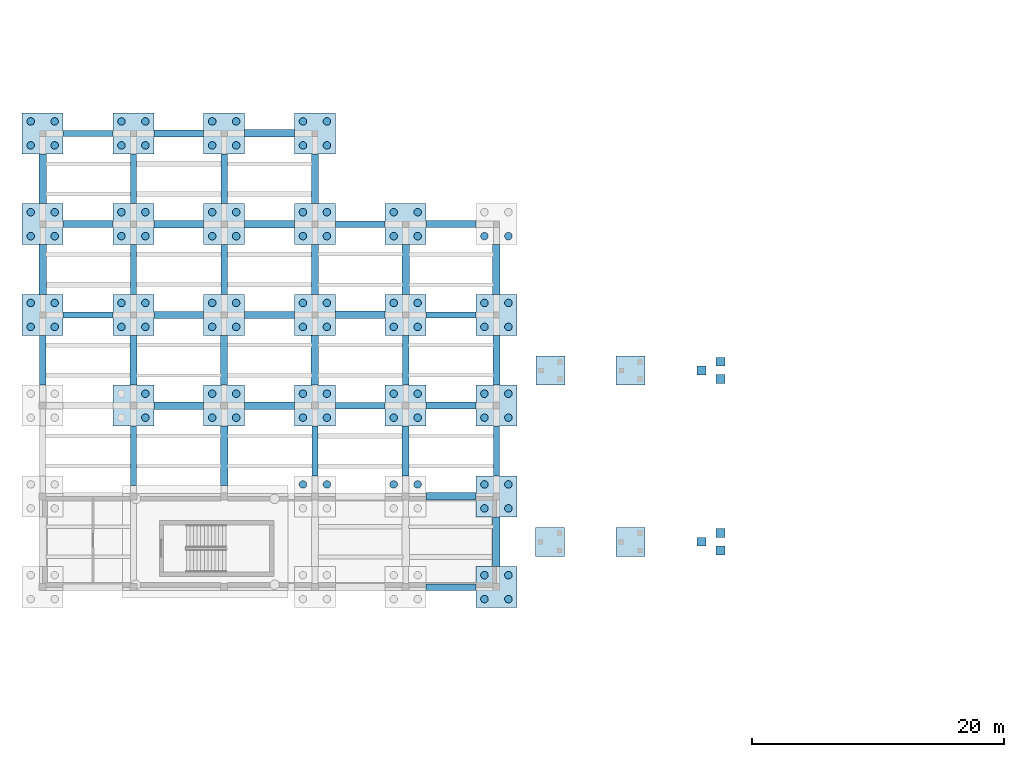
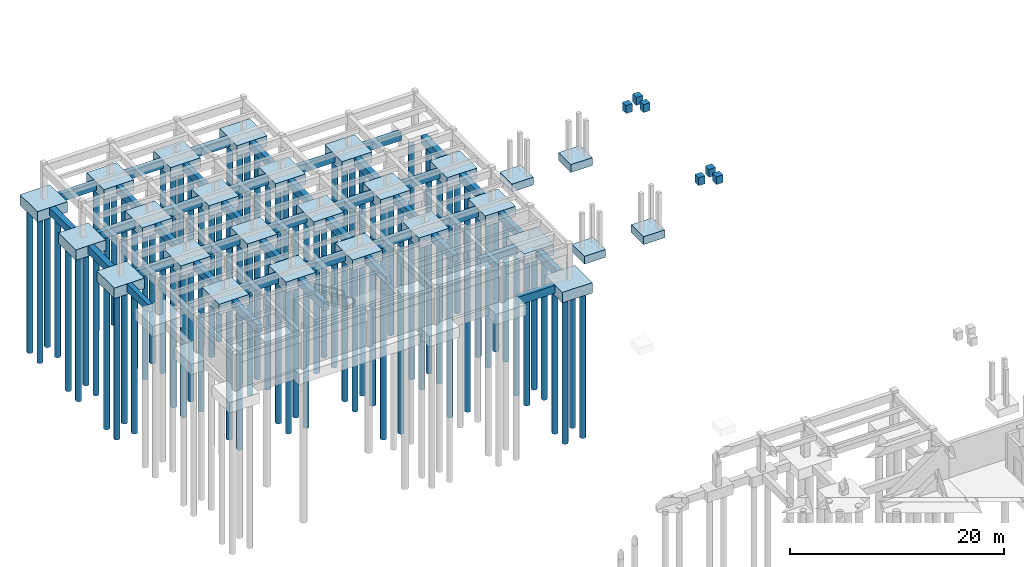
# One storey, part 4 of 31: 92 piles, 73 footings.
"""IFC4 building model written with IfcOpenShell, lengths in metres."""

from ifc_helpers import new_model, si_unit, direction, frame, origin, origin_2d, place, context, subcontext, project, spatial, rectangle, circle, extrude, material, material_profile, profile_set, type_object, element, save


model = new_model("IFC4")

# Units and contexts
model_context = context("Model", 3, precision=1e-05, world=origin(), true_north=direction((0.0, 1.0)))
body_context = subcontext(model_context, "Body", "Model", "MODEL_VIEW")
ifc_project = project(units=[si_unit("LENGTHUNIT", "METRE"), si_unit("AREAUNIT", "SQUARE_METRE"), si_unit("VOLUMEUNIT", "CUBIC_METRE"), si_unit("PLANEANGLEUNIT", "RADIAN"), si_unit("MASSUNIT", "GRAM", prefix="KILO")], contexts=[model_context])

# Site, building, storey
site_placement = place(None, origin())
site = spatial("IfcSite", under=ifc_project, at=site_placement, CompositionType="ELEMENT")
building_placement = place(site_placement, origin())
building = spatial("IfcBuilding", under=site, at=building_placement, Name="Brisavento Harbour Community Centre", CompositionType="ELEMENT")
storey_placement = place(building_placement, frame((0.0, 0.0, -4.199951171875)))
storey = spatial("IfcBuildingStorey", under=building, at=storey_placement, Name="B1", CompositionType="ELEMENT", Elevation=-4.199951171875)

# Footings
ifc_material = material(Name="Concrete C35/45", Category="concrete")
footing_type_1 = type_object("IfcFootingType", Name="FTG-GB-01", PredefinedType="FOOTING_BEAM", material=ifc_material)
footing_1_placement = place(storey_placement, frame((0.0, 90.0, -0.89990234375), z_axis=(0.0, 0.0, 1.0), x_axis=(1.0, 0.0, 0.0)))
element("IfcFooting", 1, at=footing_1_placement, inside=storey, type_object=footing_type_1, Name="Ground tie beam GB-147", PredefinedType="FOOTING_BEAM", context=body_context, shape_type="SweptSolid", body=[
    extrude(rectangle(XDim=0.5, YDim=3.949951171875, at=origin_2d()), origin(), (0.0, 0.0, 1.0), 0.89990234375),
])
footing_2_placement = place(storey_placement, frame((3.60009765625, 93.60009765625, -0.89990234375), z_axis=(0.0, 0.0, 1.0), x_axis=(1.0, 0.0, 0.0)))
element("IfcFooting", 2, at=footing_2_placement, inside=storey, type_object=footing_type_1, Name="Ground tie beam GB-150", PredefinedType="FOOTING_BEAM", context=body_context, shape_type="SweptSolid", body=[
    extrude(rectangle(XDim=3.949951171875, YDim=0.5, at=origin_2d()), origin(), (0.0, 0.0, 1.0), 0.89990234375),
])
footing_3_placement = place(storey_placement, frame((7.199951171875, 82.41259765625, -0.89990234375), z_axis=(0.0, 0.0, 1.0), x_axis=(1.0, 0.0, 0.0)))
element("IfcFooting", 3, at=footing_3_placement, inside=storey, type_object=footing_type_1, Name="Ground tie beam GB-153", PredefinedType="FOOTING_BEAM", context=body_context, shape_type="SweptSolid", body=[
    extrude(rectangle(XDim=0.5, YDim=4.72509765625, at=origin_2d()), origin(), (0.0, 0.0, 1.0), 0.89990234375),
])
for number, where, z_axis, x_axis, name in (
    (4, (7.199951171875, 97.199951171875, -0.89990234375), (0.0, 0.0, 1.0), (1.0, 0.0, 0.0), "Ground tie beam GB-156"),
    (5, (7.199951171875, 104.39990234375, -0.89990234375), (0.0, 0.0, 1.0), (1.0, 0.0, 0.0), "Ground tie beam GB-159"),
    (6, (14.39990234375, 97.199951171875, -0.89990234375), (0.0, 0.0, 1.0), (1.0, 0.0, 0.0), "Ground tie beam GB-165"),
    (7, (14.39990234375, 104.39990234375, -0.89990234375), (0.0, 0.0, 1.0), (1.0, 0.0, 0.0), "Ground tie beam GB-168"),
    (8, (21.60009765625, 82.800048828125, -0.89990234375), (0.0, 0.0, 1.0), (1.0, 0.0, 0.0), "Ground tie beam GB-171"),
):
    element("IfcFooting", number, at=place(storey_placement, frame(where, z_axis=z_axis, x_axis=x_axis)), inside=storey, type_object=footing_type_1, Name=name, PredefinedType="FOOTING_BEAM", context=body_context, shape_type="SweptSolid", body=[
        extrude(rectangle(XDim=0.5, YDim=3.949951171875, at=origin_2d()), origin(), (0.0, 0.0, 1.0), 0.89990234375),
    ])
for number, where, z_axis, x_axis, name in (
    (9, (25.199951171875, 86.39990234375, -0.89990234375), (0.0, 0.0, 1.0), (1.0, 0.0, 0.0), "Ground tie beam GB-174"),
    (10, (25.199951171875, 100.800048828125, -0.89990234375), (0.0, 0.0, 1.0), (1.0, 0.0, 0.0), "Ground tie beam GB-177"),
    (11, (32.39990234375, 72.0, -0.89990234375), (0.0, 0.0, 1.0), (1.0, 0.0, 0.0), "Ground tie beam GB-180"),
):
    element("IfcFooting", number, at=place(storey_placement, frame(where, z_axis=z_axis, x_axis=x_axis)), inside=storey, type_object=footing_type_1, Name=name, PredefinedType="FOOTING_BEAM", context=body_context, shape_type="SweptSolid", body=[
        extrude(rectangle(XDim=3.949951171875, YDim=0.5, at=origin_2d()), origin(), (0.0, 0.0, 1.0), 0.89990234375),
    ])
footing_4_placement = place(storey_placement, frame((28.800048828125, 90.0, -0.89990234375), z_axis=(0.0, 0.0, 1.0), x_axis=(1.0, 0.0, 0.0)))
element("IfcFooting", 12, at=footing_4_placement, inside=storey, type_object=footing_type_1, Name="Ground tie beam GB-183", PredefinedType="FOOTING_BEAM", context=body_context, shape_type="SweptSolid", body=[
    extrude(rectangle(XDim=0.5, YDim=3.949951171875, at=origin_2d()), origin(), (0.0, 0.0, 1.0), 0.89990234375),
])
footing_5_placement = place(storey_placement, frame((32.39990234375, 93.60009765625, -0.89990234375), z_axis=(0.0, 0.0, 1.0), x_axis=(1.0, 0.0, 0.0)))
element("IfcFooting", 13, at=footing_5_placement, inside=storey, type_object=footing_type_1, Name="Ground tie beam GB-186", PredefinedType="FOOTING_BEAM", context=body_context, shape_type="SweptSolid", body=[
    extrude(rectangle(XDim=3.949951171875, YDim=0.5, at=origin_2d()), origin(), (0.0, 0.0, 1.0), 0.89990234375),
])
footing_6_placement = place(storey_placement, frame((36.0, 82.800048828125, -0.89990234375), z_axis=(0.0, 0.0, 1.0), x_axis=(1.0, 0.0, 0.0)))
element("IfcFooting", 14, at=footing_6_placement, inside=storey, type_object=footing_type_1, Name="Ground tie beam GB-189", PredefinedType="FOOTING_BEAM", context=body_context, shape_type="SweptSolid", body=[
    extrude(rectangle(XDim=0.5, YDim=3.949951171875, at=origin_2d()), origin(), (0.0, 0.0, 1.0), 0.89990234375),
])
footing_7_placement = place(storey_placement, frame((3.60009765625, 108.0, -0.89990234375), z_axis=(0.0, 0.0, 1.0), x_axis=(1.0, 0.0, 0.0)))
element("IfcFooting", 15, at=footing_7_placement, inside=storey, type_object=footing_type_1, Name="Ground tie beam GB-192", PredefinedType="FOOTING_BEAM", context=body_context, shape_type="SweptSolid", body=[
    extrude(rectangle(XDim=3.949951171875, YDim=0.5, at=origin_2d()), origin(), (0.0, 0.0, 1.0), 0.89990234375),
])
footing_type_2 = type_object("IfcFootingType", Name="FTG-GB-02", PredefinedType="FOOTING_BEAM", material=ifc_material)
footing_8_placement = place(storey_placement, frame((3.60009765625, 100.800048828125, -0.89990234375), z_axis=(0.0, 0.0, 1.0), x_axis=(1.0, 0.0, 0.0)))
element("IfcFooting", 16, at=footing_8_placement, inside=storey, type_object=footing_type_2, Name="Ground tie beam GB-151", PredefinedType="FOOTING_BEAM", context=body_context, shape_type="SweptSolid", body=[
    extrude(rectangle(XDim=3.949951171875, YDim=0.550048828125, at=origin_2d()), origin(), (0.0, 0.0, 1.0), 0.89990234375),
])
footing_9_placement = place(storey_placement, frame((7.199951171875, 90.0, -0.89990234375), z_axis=(0.0, 0.0, 1.0), x_axis=(1.0, 0.0, 0.0)))
element("IfcFooting", 17, at=footing_9_placement, inside=storey, type_object=footing_type_2, Name="Ground tie beam GB-154", PredefinedType="FOOTING_BEAM", context=body_context, shape_type="SweptSolid", body=[
    extrude(rectangle(XDim=0.550048828125, YDim=3.949951171875, at=origin_2d()), origin(), (0.0, 0.0, 1.0), 0.89990234375),
])
footing_10_placement = place(storey_placement, frame((10.800048828125, 93.60009765625, -0.89990234375), z_axis=(0.0, 0.0, 1.0), x_axis=(1.0, 0.0, 0.0)))
element("IfcFooting", 18, at=footing_10_placement, inside=storey, type_object=footing_type_2, Name="Ground tie beam GB-157", PredefinedType="FOOTING_BEAM", context=body_context, shape_type="SweptSolid", body=[
    extrude(rectangle(XDim=3.949951171875, YDim=0.550048828125, at=origin_2d()), origin(), (0.0, 0.0, 1.0), 0.89990234375),
])
footing_11_placement = place(storey_placement, frame((14.39990234375, 90.0, -0.89990234375), z_axis=(0.0, 0.0, 1.0), x_axis=(1.0, 0.0, 0.0)))
element("IfcFooting", 19, at=footing_11_placement, inside=storey, type_object=footing_type_2, Name="Ground tie beam GB-163", PredefinedType="FOOTING_BEAM", context=body_context, shape_type="SweptSolid", body=[
    extrude(rectangle(XDim=0.550048828125, YDim=3.949951171875, at=origin_2d()), origin(), (0.0, 0.0, 1.0), 0.89990234375),
])
footing_12_placement = place(storey_placement, frame((18.0, 93.60009765625, -0.89990234375), z_axis=(0.0, 0.0, 1.0), x_axis=(1.0, 0.0, 0.0)))
element("IfcFooting", 20, at=footing_12_placement, inside=storey, type_object=footing_type_2, Name="Ground tie beam GB-166", PredefinedType="FOOTING_BEAM", context=body_context, shape_type="SweptSolid", body=[
    extrude(rectangle(XDim=3.949951171875, YDim=0.550048828125, at=origin_2d()), origin(), (0.0, 0.0, 1.0), 0.89990234375),
])
for number, where, z_axis, x_axis, name in (
    (21, (21.60009765625, 97.199951171875, -0.89990234375), (0.0, 0.0, 1.0), (1.0, 0.0, 0.0), "Ground tie beam GB-175"),
    (22, (21.60009765625, 104.39990234375, -0.89990234375), (0.0, 0.0, 1.0), (1.0, 0.0, 0.0), "Ground tie beam GB-178"),
    (23, (28.800048828125, 82.800048828125, -0.89990234375), (0.0, 0.0, 1.0), (1.0, 0.0, 0.0), "Ground tie beam GB-181"),
):
    element("IfcFooting", number, at=place(storey_placement, frame(where, z_axis=z_axis, x_axis=x_axis)), inside=storey, type_object=footing_type_2, Name=name, PredefinedType="FOOTING_BEAM", context=body_context, shape_type="SweptSolid", body=[
        extrude(rectangle(XDim=0.550048828125, YDim=3.949951171875, at=origin_2d()), origin(), (0.0, 0.0, 1.0), 0.89990234375),
    ])
for number, where, z_axis, x_axis, name in (
    (24, (32.39990234375, 86.39990234375, -0.89990234375), (0.0, 0.0, 1.0), (1.0, 0.0, 0.0), "Ground tie beam GB-184"),
    (25, (32.39990234375, 100.800048828125, -0.89990234375), (0.0, 0.0, 1.0), (1.0, 0.0, 0.0), "Ground tie beam GB-187"),
):
    element("IfcFooting", number, at=place(storey_placement, frame(where, z_axis=z_axis, x_axis=x_axis)), inside=storey, type_object=footing_type_2, Name=name, PredefinedType="FOOTING_BEAM", context=body_context, shape_type="SweptSolid", body=[
        extrude(rectangle(XDim=3.949951171875, YDim=0.550048828125, at=origin_2d()), origin(), (0.0, 0.0, 1.0), 0.89990234375),
    ])
footing_13_placement = place(storey_placement, frame((36.0, 90.0, -0.89990234375), z_axis=(0.0, 0.0, 1.0), x_axis=(1.0, 0.0, 0.0)))
element("IfcFooting", 26, at=footing_13_placement, inside=storey, type_object=footing_type_2, Name="Ground tie beam GB-190", PredefinedType="FOOTING_BEAM", context=body_context, shape_type="SweptSolid", body=[
    extrude(rectangle(XDim=0.550048828125, YDim=3.949951171875, at=origin_2d()), origin(), (0.0, 0.0, 1.0), 0.89990234375),
])
footing_14_placement = place(storey_placement, frame((10.800048828125, 108.0, -0.89990234375), z_axis=(0.0, 0.0, 1.0), x_axis=(1.0, 0.0, 0.0)))
element("IfcFooting", 27, at=footing_14_placement, inside=storey, type_object=footing_type_2, Name="Ground tie beam GB-193", PredefinedType="FOOTING_BEAM", context=body_context, shape_type="SweptSolid", body=[
    extrude(rectangle(XDim=3.949951171875, YDim=0.550048828125, at=origin_2d()), origin(), (0.0, 0.0, 1.0), 0.89990234375),
])
footing_type_3 = type_object("IfcFootingType", Name="FTG-GB-03", PredefinedType="FOOTING_BEAM", material=ifc_material)
for number, where, z_axis, x_axis, name in (
    (28, (0.0, 97.199951171875, -0.89990234375), (0.0, 0.0, 1.0), (1.0, 0.0, 0.0), "Ground tie beam GB-149"),
    (29, (0.0, 104.39990234375, -0.89990234375), (0.0, 0.0, 1.0), (1.0, 0.0, 0.0), "Ground tie beam GB-152"),
):
    element("IfcFooting", number, at=place(storey_placement, frame(where, z_axis=z_axis, x_axis=x_axis)), inside=storey, type_object=footing_type_3, Name=name, PredefinedType="FOOTING_BEAM", context=body_context, shape_type="SweptSolid", body=[
        extrude(rectangle(XDim=0.60009765625, YDim=3.949951171875, at=origin_2d()), origin(), (0.0, 0.0, 1.0), 0.89990234375),
    ])
for number, where, z_axis, x_axis, name in (
    (30, (10.800048828125, 86.39990234375, -0.89990234375), (0.0, 0.0, 1.0), (1.0, 0.0, 0.0), "Ground tie beam GB-155"),
    (31, (10.800048828125, 100.800048828125, -0.89990234375), (0.0, 0.0, 1.0), (1.0, 0.0, 0.0), "Ground tie beam GB-158"),
):
    element("IfcFooting", number, at=place(storey_placement, frame(where, z_axis=z_axis, x_axis=x_axis)), inside=storey, type_object=footing_type_3, Name=name, PredefinedType="FOOTING_BEAM", context=body_context, shape_type="SweptSolid", body=[
        extrude(rectangle(XDim=3.949951171875, YDim=0.60009765625, at=origin_2d()), origin(), (0.0, 0.0, 1.0), 0.89990234375),
    ])
footing_15_placement = place(storey_placement, frame((14.39990234375, 82.41259765625, -0.89990234375), z_axis=(0.0, 0.0, 1.0), x_axis=(1.0, 0.0, 0.0)))
element("IfcFooting", 32, at=footing_15_placement, inside=storey, type_object=footing_type_3, Name="Ground tie beam GB-161", PredefinedType="FOOTING_BEAM", context=body_context, shape_type="SweptSolid", body=[
    extrude(rectangle(XDim=0.60009765625, YDim=4.72509765625, at=origin_2d()), origin(), (0.0, 0.0, 1.0), 0.89990234375),
])
for number, where, z_axis, x_axis, name in (
    (33, (18.0, 86.39990234375, -0.89990234375), (0.0, 0.0, 1.0), (1.0, 0.0, 0.0), "Ground tie beam GB-164"),
    (34, (18.0, 100.800048828125, -0.89990234375), (0.0, 0.0, 1.0), (1.0, 0.0, 0.0), "Ground tie beam GB-167"),
):
    element("IfcFooting", number, at=place(storey_placement, frame(where, z_axis=z_axis, x_axis=x_axis)), inside=storey, type_object=footing_type_3, Name=name, PredefinedType="FOOTING_BEAM", context=body_context, shape_type="SweptSolid", body=[
        extrude(rectangle(XDim=3.949951171875, YDim=0.60009765625, at=origin_2d()), origin(), (0.0, 0.0, 1.0), 0.89990234375),
    ])
footing_16_placement = place(storey_placement, frame((21.60009765625, 90.0, -0.89990234375), z_axis=(0.0, 0.0, 1.0), x_axis=(1.0, 0.0, 0.0)))
element("IfcFooting", 35, at=footing_16_placement, inside=storey, type_object=footing_type_3, Name="Ground tie beam GB-173", PredefinedType="FOOTING_BEAM", context=body_context, shape_type="SweptSolid", body=[
    extrude(rectangle(XDim=0.60009765625, YDim=3.949951171875, at=origin_2d()), origin(), (0.0, 0.0, 1.0), 0.89990234375),
])
for number, where, z_axis, x_axis, name in (
    (36, (25.199951171875, 93.60009765625, -0.89990234375), (0.0, 0.0, 1.0), (1.0, 0.0, 0.0), "Ground tie beam GB-176"),
    (37, (32.39990234375, 79.199951171875, -0.89990234375), (0.0, 0.0, 1.0), (1.0, 0.0, 0.0), "Ground tie beam GB-182"),
):
    element("IfcFooting", number, at=place(storey_placement, frame(where, z_axis=z_axis, x_axis=x_axis)), inside=storey, type_object=footing_type_3, Name=name, PredefinedType="FOOTING_BEAM", context=body_context, shape_type="SweptSolid", body=[
        extrude(rectangle(XDim=3.949951171875, YDim=0.60009765625, at=origin_2d()), origin(), (0.0, 0.0, 1.0), 0.89990234375),
    ])
for number, where, z_axis, x_axis, name in (
    (38, (28.800048828125, 97.199951171875, -0.89990234375), (0.0, 0.0, 1.0), (1.0, 0.0, 0.0), "Ground tie beam GB-185"),
    (39, (36.0, 75.60009765625, -0.89990234375), (0.0, 0.0, 1.0), (1.0, 0.0, 0.0), "Ground tie beam GB-188"),
    (40, (36.0, 97.199951171875, -0.89990234375), (0.0, 0.0, 1.0), (1.0, 0.0, 0.0), "Ground tie beam GB-191"),
):
    element("IfcFooting", number, at=place(storey_placement, frame(where, z_axis=z_axis, x_axis=x_axis)), inside=storey, type_object=footing_type_3, Name=name, PredefinedType="FOOTING_BEAM", context=body_context, shape_type="SweptSolid", body=[
        extrude(rectangle(XDim=0.60009765625, YDim=3.949951171875, at=origin_2d()), origin(), (0.0, 0.0, 1.0), 0.89990234375),
    ])
footing_17_placement = place(storey_placement, frame((18.0, 108.0, -0.89990234375), z_axis=(0.0, 0.0, 1.0), x_axis=(1.0, 0.0, 0.0)))
element("IfcFooting", 41, at=footing_17_placement, inside=storey, type_object=footing_type_3, Name="Ground tie beam GB-194", PredefinedType="FOOTING_BEAM", context=body_context, shape_type="SweptSolid", body=[
    extrude(rectangle(XDim=3.949951171875, YDim=0.60009765625, at=origin_2d()), origin(), (0.0, 0.0, 1.0), 0.89990234375),
])
footing_type_4 = type_object("IfcFootingType", Name="FTG-MST-MST-04-MID", PredefinedType="PAD_FOOTING", material=ifc_material)
footing_18_placement = place(storey_placement, frame((46.64501953125, 75.60009765625, -0.89990234375), z_axis=(0.0, 0.0, 1.0), x_axis=(1.0, 0.0, 0.0)))
element("IfcFooting", 42, at=footing_18_placement, inside=storey, type_object=footing_type_4, Name="MST-04 MID landing pad footing", PredefinedType="PAD_FOOTING", context=body_context, shape_type="SweptSolid", body=[
    extrude(rectangle(XDim=2.300048828125, YDim=2.300048828125, at=origin_2d()), origin(), (0.0, 0.0, 1.0), 0.89990234375),
])
footing_type_5 = type_object("IfcFootingType", Name="FTG-MST-MST-04-TOP", PredefinedType="PAD_FOOTING", material=ifc_material)
footing_19_placement = place(storey_placement, frame((40.2548828125, 75.60009765625, -0.89990234375), z_axis=(0.0, 0.0, 1.0), x_axis=(1.0, 0.0, 0.0)))
element("IfcFooting", 43, at=footing_19_placement, inside=storey, type_object=footing_type_5, Name="MST-04 TOP landing pad footing", PredefinedType="PAD_FOOTING", context=body_context, shape_type="SweptSolid", body=[
    extrude(rectangle(XDim=2.300048828125, YDim=2.300048828125, at=origin_2d()), origin(), (0.0, 0.0, 1.0), 0.89990234375),
])
footing_type_6 = type_object("IfcFootingType", Name="FTG-MST-MST-07-MID", PredefinedType="PAD_FOOTING", material=ifc_material)
footing_20_placement = place(storey_placement, frame((46.655029296875, 89.199951171875, -0.89990234375), z_axis=(0.0, 0.0, 1.0), x_axis=(1.0, 0.0, 0.0)))
element("IfcFooting", 44, at=footing_20_placement, inside=storey, type_object=footing_type_6, Name="MST-07 MID landing pad footing", PredefinedType="PAD_FOOTING", context=body_context, shape_type="SweptSolid", body=[
    extrude(rectangle(XDim=2.300048828125, YDim=2.300048828125, at=origin_2d()), origin(), (0.0, 0.0, 1.0), 0.89990234375),
])
footing_type_7 = type_object("IfcFootingType", Name="FTG-MST-MST-07-TOP", PredefinedType="PAD_FOOTING", material=ifc_material)
footing_21_placement = place(storey_placement, frame((40.284912109375, 89.199951171875, -0.89990234375), z_axis=(0.0, 0.0, 1.0), x_axis=(1.0, 0.0, 0.0)))
element("IfcFooting", 45, at=footing_21_placement, inside=storey, type_object=footing_type_7, Name="MST-07 TOP landing pad footing", PredefinedType="PAD_FOOTING", context=body_context, shape_type="SweptSolid", body=[
    extrude(rectangle(XDim=2.300048828125, YDim=2.300048828125, at=origin_2d()), origin(), (0.0, 0.0, 1.0), 0.89990234375),
])
footing_type_8 = type_object("IfcFootingType", Name="FTG-PC-4A", PredefinedType="PILE_CAP", material=ifc_material)
for number, where, z_axis, x_axis, name in (
    (46, (0.0, 93.60009765625, -1.2001953125), (0.0, 0.0, 1.0), (1.0, 0.0, 0.0), "Pile cap PC-141"),
    (47, (0.0, 100.800048828125, -1.2001953125), (0.0, 0.0, 1.0), (1.0, 0.0, 0.0), "Pile cap PC-142"),
    (48, (7.199951171875, 86.39990234375, -1.2001953125), (0.0, 0.0, 1.0), (1.0, 0.0, 0.0), "Pile cap PC-145"),
    (49, (7.199951171875, 93.60009765625, -1.2001953125), (0.0, 0.0, 1.0), (1.0, 0.0, 0.0), "Pile cap PC-146"),
    (50, (7.199951171875, 100.800048828125, -1.2001953125), (0.0, 0.0, 1.0), (1.0, 0.0, 0.0), "Pile cap PC-147"),
    (51, (14.39990234375, 86.39990234375, -1.2001953125), (0.0, 0.0, 1.0), (1.0, 0.0, 0.0), "Pile cap PC-150"),
    (52, (14.39990234375, 93.60009765625, -1.2001953125), (0.0, 0.0, 1.0), (1.0, 0.0, 0.0), "Pile cap PC-151"),
    (53, (14.39990234375, 100.800048828125, -1.2001953125), (0.0, 0.0, 1.0), (1.0, 0.0, 0.0), "Pile cap PC-152"),
    (54, (21.60009765625, 86.39990234375, -1.2001953125), (0.0, 0.0, 1.0), (1.0, 0.0, 0.0), "Pile cap PC-155"),
    (55, (21.60009765625, 93.60009765625, -1.2001953125), (0.0, 0.0, 1.0), (1.0, 0.0, 0.0), "Pile cap PC-156"),
    (56, (21.60009765625, 100.800048828125, -1.2001953125), (0.0, 0.0, 1.0), (1.0, 0.0, 0.0), "Pile cap PC-157"),
    (57, (28.800048828125, 86.39990234375, -1.2001953125), (0.0, 0.0, 1.0), (1.0, 0.0, 0.0), "Pile cap PC-160"),
    (58, (28.800048828125, 93.60009765625, -1.2001953125), (0.0, 0.0, 1.0), (1.0, 0.0, 0.0), "Pile cap PC-161"),
    (59, (28.800048828125, 100.800048828125, -1.2001953125), (0.0, 0.0, 1.0), (1.0, 0.0, 0.0), "Pile cap PC-162"),
    (60, (36.0, 72.0, -1.2001953125), (0.0, 0.0, 1.0), (1.0, 0.0, 0.0), "Pile cap PC-163"),
    (61, (36.0, 79.199951171875, -1.2001953125), (0.0, 0.0, 1.0), (1.0, 0.0, 0.0), "Pile cap PC-164"),
    (62, (36.0, 86.39990234375, -1.2001953125), (0.0, 0.0, 1.0), (1.0, 0.0, 0.0), "Pile cap PC-165"),
    (63, (36.0, 93.60009765625, -1.2001953125), (0.0, 0.0, 1.0), (1.0, 0.0, 0.0), "Pile cap PC-166"),
    (64, (0.0, 108.0, -1.2001953125), (0.0, 0.0, 1.0), (1.0, 0.0, 0.0), "Pile cap PC-168"),
    (65, (7.199951171875, 108.0, -1.2001953125), (0.0, 0.0, 1.0), (1.0, 0.0, 0.0), "Pile cap PC-169"),
    (66, (14.39990234375, 108.0, -1.2001953125), (0.0, 0.0, 1.0), (1.0, 0.0, 0.0), "Pile cap PC-170"),
    (67, (21.60009765625, 108.0, -1.2001953125), (0.0, 0.0, 1.0), (1.0, 0.0, 0.0), "Pile cap PC-171"),
):
    element("IfcFooting", number, at=place(storey_placement, frame(where, z_axis=z_axis, x_axis=x_axis)), inside=storey, type_object=footing_type_8, Name=name, PredefinedType="PILE_CAP", context=body_context, shape_type="SweptSolid", body=[
        extrude(rectangle(XDim=3.25, YDim=3.25, at=origin_2d()), origin(), (0.0, 0.0, 1.0), 1.199951171875),
    ])
footing_type_9 = type_object("IfcFootingType", Name="FTG-PF-07", PredefinedType="PAD_FOOTING", material=ifc_material)
for number, where, z_axis, x_axis, name in (
    (68, (53.7900390625, 76.2900390625, 3.10009765625), (0.0, 0.0, 1.0), (1.0, 0.0, 0.0), "MST-04 BOT support footing 1"),
    (69, (53.7900390625, 74.909912109375, 3.10009765625), (0.0, 0.0, 1.0), (1.0, 0.0, 0.0), "MST-04 BOT support footing 2"),
    (70, (52.280029296875, 75.60009765625, 3.10009765625), (0.0, 0.0, 1.0), (1.0, 0.0, 0.0), "MST-04 BOT support footing 3"),
    (71, (53.77001953125, 89.8798828125, 3.10009765625), (0.0, 0.0, 1.0), (1.0, 0.0, 0.0), "MST-07 BOT support footing 1"),
    (72, (53.77001953125, 88.52001953125, 3.10009765625), (0.0, 0.0, 1.0), (1.0, 0.0, 0.0), "MST-07 BOT support footing 2"),
    (73, (52.280029296875, 89.199951171875, 3.10009765625), (0.0, 0.0, 1.0), (1.0, 0.0, 0.0), "MST-07 BOT support footing 3"),
):
    element("IfcFooting", number, at=place(storey_placement, frame(where, z_axis=z_axis, x_axis=x_axis)), inside=storey, type_object=footing_type_9, Name=name, PredefinedType="PAD_FOOTING", context=body_context, shape_type="SweptSolid", body=[
        extrude(rectangle(XDim=0.699951171875, YDim=0.699951171875, at=origin_2d()), origin(), (0.0, 0.0, 1.0), 0.89990234375),
    ])

# Piles
ifc_material_profile = material_profile(ifc_material, circle(Radius=0.300048828125, at=origin_2d()), Name="Concrete C35/45")
ifc_profile_set = profile_set([ifc_material_profile], Name="Concrete C35/45")
pile_type = type_object("IfcPileType", Name="PILE-600", PredefinedType="BORED", material=ifc_profile_set)
for number, where, z_axis, x_axis, name in (
    (74, (-0.949951171875, 92.64990234375, -1.10009765625), (0.0, 0.0, -1.0), (1.0, 0.0, 0.0), "Bored pile PC-141-P1"),
    (75, (0.949951171875, 92.64990234375, -1.10009765625), (0.0, 0.0, -1.0), (1.0, 0.0, 0.0), "Bored pile PC-141-P2"),
    (76, (-0.949951171875, 94.550048828125, -1.10009765625), (0.0, 0.0, -1.0), (1.0, 0.0, 0.0), "Bored pile PC-141-P3"),
    (77, (0.949951171875, 94.550048828125, -1.10009765625), (0.0, 0.0, -1.0), (1.0, 0.0, 0.0), "Bored pile PC-141-P4"),
    (78, (-0.949951171875, 99.85009765625, -1.10009765625), (0.0, 0.0, -1.0), (1.0, 0.0, 0.0), "Bored pile PC-142-P1"),
    (79, (0.949951171875, 99.85009765625, -1.10009765625), (0.0, 0.0, -1.0), (1.0, 0.0, 0.0), "Bored pile PC-142-P2"),
    (80, (-0.949951171875, 101.75, -1.10009765625), (0.0, 0.0, -1.0), (1.0, 0.0, 0.0), "Bored pile PC-142-P3"),
    (81, (0.949951171875, 101.75, -1.10009765625), (0.0, 0.0, -1.0), (1.0, 0.0, 0.0), "Bored pile PC-142-P4"),
    (82, (8.14990234375, 85.449951171875, -1.10009765625), (0.0, 0.0, -1.0), (1.0, 0.0, 0.0), "Bored pile PC-145-P2"),
    (83, (8.14990234375, 87.35009765625, -1.10009765625), (0.0, 0.0, -1.0), (1.0, 0.0, 0.0), "Bored pile PC-145-P4"),
    (84, (6.25, 92.64990234375, -1.10009765625), (0.0, 0.0, -1.0), (1.0, 0.0, 0.0), "Bored pile PC-146-P1"),
    (85, (8.14990234375, 92.64990234375, -1.10009765625), (0.0, 0.0, -1.0), (1.0, 0.0, 0.0), "Bored pile PC-146-P2"),
    (86, (6.25, 94.550048828125, -1.10009765625), (0.0, 0.0, -1.0), (1.0, 0.0, 0.0), "Bored pile PC-146-P3"),
    (87, (8.14990234375, 94.550048828125, -1.10009765625), (0.0, 0.0, -1.0), (1.0, 0.0, 0.0), "Bored pile PC-146-P4"),
    (88, (6.25, 99.85009765625, -1.10009765625), (0.0, 0.0, -1.0), (1.0, 0.0, 0.0), "Bored pile PC-147-P1"),
    (89, (8.14990234375, 99.85009765625, -1.10009765625), (0.0, 0.0, -1.0), (1.0, 0.0, 0.0), "Bored pile PC-147-P2"),
    (90, (6.25, 101.75, -1.10009765625), (0.0, 0.0, -1.0), (1.0, 0.0, 0.0), "Bored pile PC-147-P3"),
    (91, (8.14990234375, 101.75, -1.10009765625), (0.0, 0.0, -1.0), (1.0, 0.0, 0.0), "Bored pile PC-147-P4"),
    (92, (13.449951171875, 85.449951171875, -1.10009765625), (0.0, 0.0, -1.0), (1.0, 0.0, 0.0), "Bored pile PC-150-P1"),
    (93, (15.35009765625, 85.449951171875, -1.10009765625), (0.0, 0.0, -1.0), (1.0, 0.0, 0.0), "Bored pile PC-150-P2"),
    (94, (13.449951171875, 87.35009765625, -1.10009765625), (0.0, 0.0, -1.0), (1.0, 0.0, 0.0), "Bored pile PC-150-P3"),
    (95, (15.35009765625, 87.35009765625, -1.10009765625), (0.0, 0.0, -1.0), (1.0, 0.0, 0.0), "Bored pile PC-150-P4"),
    (96, (13.449951171875, 92.64990234375, -1.10009765625), (0.0, 0.0, -1.0), (1.0, 0.0, 0.0), "Bored pile PC-151-P1"),
    (97, (15.35009765625, 92.64990234375, -1.10009765625), (0.0, 0.0, -1.0), (1.0, 0.0, 0.0), "Bored pile PC-151-P2"),
    (98, (13.449951171875, 94.550048828125, -1.10009765625), (0.0, 0.0, -1.0), (1.0, 0.0, 0.0), "Bored pile PC-151-P3"),
    (99, (15.35009765625, 94.550048828125, -1.10009765625), (0.0, 0.0, -1.0), (1.0, 0.0, 0.0), "Bored pile PC-151-P4"),
    (100, (13.449951171875, 99.85009765625, -1.10009765625), (0.0, 0.0, -1.0), (1.0, 0.0, 0.0), "Bored pile PC-152-P1"),
    (101, (15.35009765625, 99.85009765625, -1.10009765625), (0.0, 0.0, -1.0), (1.0, 0.0, 0.0), "Bored pile PC-152-P2"),
    (102, (13.449951171875, 101.75, -1.10009765625), (0.0, 0.0, -1.0), (1.0, 0.0, 0.0), "Bored pile PC-152-P3"),
    (103, (15.35009765625, 101.75, -1.10009765625), (0.0, 0.0, -1.0), (1.0, 0.0, 0.0), "Bored pile PC-152-P4"),
    (104, (20.64990234375, 80.14990234375, -1.10009765625), (0.0, 0.0, -1.0), (1.0, 0.0, 0.0), "Bored pile PC-154-P3"),
    (105, (22.550048828125, 80.14990234375, -1.10009765625), (0.0, 0.0, -1.0), (1.0, 0.0, 0.0), "Bored pile PC-154-P4"),
    (106, (20.64990234375, 85.449951171875, -1.10009765625), (0.0, 0.0, -1.0), (1.0, 0.0, 0.0), "Bored pile PC-155-P1"),
    (107, (22.550048828125, 85.449951171875, -1.10009765625), (0.0, 0.0, -1.0), (1.0, 0.0, 0.0), "Bored pile PC-155-P2"),
    (108, (20.64990234375, 87.35009765625, -1.10009765625), (0.0, 0.0, -1.0), (1.0, 0.0, 0.0), "Bored pile PC-155-P3"),
    (109, (22.550048828125, 87.35009765625, -1.10009765625), (0.0, 0.0, -1.0), (1.0, 0.0, 0.0), "Bored pile PC-155-P4"),
    (110, (20.64990234375, 92.64990234375, -1.10009765625), (0.0, 0.0, -1.0), (1.0, 0.0, 0.0), "Bored pile PC-156-P1"),
    (111, (22.550048828125, 92.64990234375, -1.10009765625), (0.0, 0.0, -1.0), (1.0, 0.0, 0.0), "Bored pile PC-156-P2"),
    (112, (20.64990234375, 94.550048828125, -1.10009765625), (0.0, 0.0, -1.0), (1.0, 0.0, 0.0), "Bored pile PC-156-P3"),
    (113, (22.550048828125, 94.550048828125, -1.10009765625), (0.0, 0.0, -1.0), (1.0, 0.0, 0.0), "Bored pile PC-156-P4"),
    (114, (20.64990234375, 99.85009765625, -1.10009765625), (0.0, 0.0, -1.0), (1.0, 0.0, 0.0), "Bored pile PC-157-P1"),
    (115, (22.550048828125, 99.85009765625, -1.10009765625), (0.0, 0.0, -1.0), (1.0, 0.0, 0.0), "Bored pile PC-157-P2"),
    (116, (20.64990234375, 101.75, -1.10009765625), (0.0, 0.0, -1.0), (1.0, 0.0, 0.0), "Bored pile PC-157-P3"),
    (117, (22.550048828125, 101.75, -1.10009765625), (0.0, 0.0, -1.0), (1.0, 0.0, 0.0), "Bored pile PC-157-P4"),
    (118, (27.85009765625, 80.14990234375, -1.10009765625), (0.0, 0.0, -1.0), (1.0, 0.0, 0.0), "Bored pile PC-159-P3"),
    (119, (29.75, 80.14990234375, -1.10009765625), (0.0, 0.0, -1.0), (1.0, 0.0, 0.0), "Bored pile PC-159-P4"),
    (120, (27.85009765625, 85.449951171875, -1.10009765625), (0.0, 0.0, -1.0), (1.0, 0.0, 0.0), "Bored pile PC-160-P1"),
    (121, (29.75, 85.449951171875, -1.10009765625), (0.0, 0.0, -1.0), (1.0, 0.0, 0.0), "Bored pile PC-160-P2"),
    (122, (27.85009765625, 87.35009765625, -1.10009765625), (0.0, 0.0, -1.0), (1.0, 0.0, 0.0), "Bored pile PC-160-P3"),
    (123, (29.75, 87.35009765625, -1.10009765625), (0.0, 0.0, -1.0), (1.0, 0.0, 0.0), "Bored pile PC-160-P4"),
    (124, (27.85009765625, 92.64990234375, -1.10009765625), (0.0, 0.0, -1.0), (1.0, 0.0, 0.0), "Bored pile PC-161-P1"),
    (125, (29.75, 92.64990234375, -1.10009765625), (0.0, 0.0, -1.0), (1.0, 0.0, 0.0), "Bored pile PC-161-P2"),
    (126, (27.85009765625, 94.550048828125, -1.10009765625), (0.0, 0.0, -1.0), (1.0, 0.0, 0.0), "Bored pile PC-161-P3"),
    (127, (29.75, 94.550048828125, -1.10009765625), (0.0, 0.0, -1.0), (1.0, 0.0, 0.0), "Bored pile PC-161-P4"),
    (128, (27.85009765625, 99.85009765625, -1.10009765625), (0.0, 0.0, -1.0), (1.0, 0.0, 0.0), "Bored pile PC-162-P1"),
    (129, (29.75, 99.85009765625, -1.10009765625), (0.0, 0.0, -1.0), (1.0, 0.0, 0.0), "Bored pile PC-162-P2"),
    (130, (27.85009765625, 101.75, -1.10009765625), (0.0, 0.0, -1.0), (1.0, 0.0, 0.0), "Bored pile PC-162-P3"),
    (131, (29.75, 101.75, -1.10009765625), (0.0, 0.0, -1.0), (1.0, 0.0, 0.0), "Bored pile PC-162-P4"),
    (132, (35.050048828125, 71.050048828125, -1.10009765625), (0.0, 0.0, -1.0), (1.0, 0.0, 0.0), "Bored pile PC-163-P1"),
    (133, (36.949951171875, 71.050048828125, -1.10009765625), (0.0, 0.0, -1.0), (1.0, 0.0, 0.0), "Bored pile PC-163-P2"),
    (134, (35.050048828125, 72.949951171875, -1.10009765625), (0.0, 0.0, -1.0), (1.0, 0.0, 0.0), "Bored pile PC-163-P3"),
    (135, (36.949951171875, 72.949951171875, -1.10009765625), (0.0, 0.0, -1.0), (1.0, 0.0, 0.0), "Bored pile PC-163-P4"),
    (136, (35.050048828125, 78.25, -1.10009765625), (0.0, 0.0, -1.0), (1.0, 0.0, 0.0), "Bored pile PC-164-P1"),
    (137, (36.949951171875, 78.25, -1.10009765625), (0.0, 0.0, -1.0), (1.0, 0.0, 0.0), "Bored pile PC-164-P2"),
    (138, (35.050048828125, 80.14990234375, -1.10009765625), (0.0, 0.0, -1.0), (1.0, 0.0, 0.0), "Bored pile PC-164-P3"),
    (139, (36.949951171875, 80.14990234375, -1.10009765625), (0.0, 0.0, -1.0), (1.0, 0.0, 0.0), "Bored pile PC-164-P4"),
    (140, (35.050048828125, 85.449951171875, -1.10009765625), (0.0, 0.0, -1.0), (1.0, 0.0, 0.0), "Bored pile PC-165-P1"),
    (141, (36.949951171875, 85.449951171875, -1.10009765625), (0.0, 0.0, -1.0), (1.0, 0.0, 0.0), "Bored pile PC-165-P2"),
    (142, (35.050048828125, 87.35009765625, -1.10009765625), (0.0, 0.0, -1.0), (1.0, 0.0, 0.0), "Bored pile PC-165-P3"),
    (143, (36.949951171875, 87.35009765625, -1.10009765625), (0.0, 0.0, -1.0), (1.0, 0.0, 0.0), "Bored pile PC-165-P4"),
    (144, (35.050048828125, 92.64990234375, -1.10009765625), (0.0, 0.0, -1.0), (1.0, 0.0, 0.0), "Bored pile PC-166-P1"),
    (145, (36.949951171875, 92.64990234375, -1.10009765625), (0.0, 0.0, -1.0), (1.0, 0.0, 0.0), "Bored pile PC-166-P2"),
    (146, (35.050048828125, 94.550048828125, -1.10009765625), (0.0, 0.0, -1.0), (1.0, 0.0, 0.0), "Bored pile PC-166-P3"),
    (147, (36.949951171875, 94.550048828125, -1.10009765625), (0.0, 0.0, -1.0), (1.0, 0.0, 0.0), "Bored pile PC-166-P4"),
    (148, (35.050048828125, 99.85009765625, -1.10009765625), (0.0, 0.0, -1.0), (1.0, 0.0, 0.0), "Bored pile PC-167-P1"),
    (149, (36.949951171875, 99.85009765625, -1.10009765625), (0.0, 0.0, -1.0), (1.0, 0.0, 0.0), "Bored pile PC-167-P2"),
    (150, (-0.949951171875, 107.050048828125, -1.10009765625), (0.0, 0.0, -1.0), (1.0, 0.0, 0.0), "Bored pile PC-168-P1"),
    (151, (0.949951171875, 107.050048828125, -1.10009765625), (0.0, 0.0, -1.0), (1.0, 0.0, 0.0), "Bored pile PC-168-P2"),
    (152, (-0.949951171875, 108.949951171875, -1.10009765625), (0.0, 0.0, -1.0), (1.0, 0.0, 0.0), "Bored pile PC-168-P3"),
    (153, (0.949951171875, 108.949951171875, -1.10009765625), (0.0, 0.0, -1.0), (1.0, 0.0, 0.0), "Bored pile PC-168-P4"),
    (154, (6.25, 107.050048828125, -1.10009765625), (0.0, 0.0, -1.0), (1.0, 0.0, 0.0), "Bored pile PC-169-P1"),
    (155, (8.14990234375, 107.050048828125, -1.10009765625), (0.0, 0.0, -1.0), (1.0, 0.0, 0.0), "Bored pile PC-169-P2"),
    (156, (6.25, 108.949951171875, -1.10009765625), (0.0, 0.0, -1.0), (1.0, 0.0, 0.0), "Bored pile PC-169-P3"),
    (157, (8.14990234375, 108.949951171875, -1.10009765625), (0.0, 0.0, -1.0), (1.0, 0.0, 0.0), "Bored pile PC-169-P4"),
    (158, (13.449951171875, 107.050048828125, -1.10009765625), (0.0, 0.0, -1.0), (1.0, 0.0, 0.0), "Bored pile PC-170-P1"),
    (159, (15.35009765625, 107.050048828125, -1.10009765625), (0.0, 0.0, -1.0), (1.0, 0.0, 0.0), "Bored pile PC-170-P2"),
    (160, (13.449951171875, 108.949951171875, -1.10009765625), (0.0, 0.0, -1.0), (1.0, 0.0, 0.0), "Bored pile PC-170-P3"),
    (161, (15.35009765625, 108.949951171875, -1.10009765625), (0.0, 0.0, -1.0), (1.0, 0.0, 0.0), "Bored pile PC-170-P4"),
    (162, (20.64990234375, 107.050048828125, -1.10009765625), (0.0, 0.0, -1.0), (1.0, 0.0, 0.0), "Bored pile PC-171-P1"),
    (163, (22.550048828125, 107.050048828125, -1.10009765625), (0.0, 0.0, -1.0), (1.0, 0.0, 0.0), "Bored pile PC-171-P2"),
    (164, (20.64990234375, 108.949951171875, -1.10009765625), (0.0, 0.0, -1.0), (1.0, 0.0, 0.0), "Bored pile PC-171-P3"),
    (165, (22.550048828125, 108.949951171875, -1.10009765625), (0.0, 0.0, -1.0), (1.0, 0.0, 0.0), "Bored pile PC-171-P4"),
):
    element("IfcPile", number, at=place(storey_placement, frame(where, z_axis=z_axis, x_axis=x_axis)), inside=storey, type_object=pile_type, Name=name, PredefinedType="BORED", context=body_context, shape_type="SweptSolid", body=[
        extrude(circle(Radius=0.300048828125, at=origin_2d()), origin(), (0.0, 0.0, 1.0), 16.699951171875),
    ])

save(model, "model.ifc")
